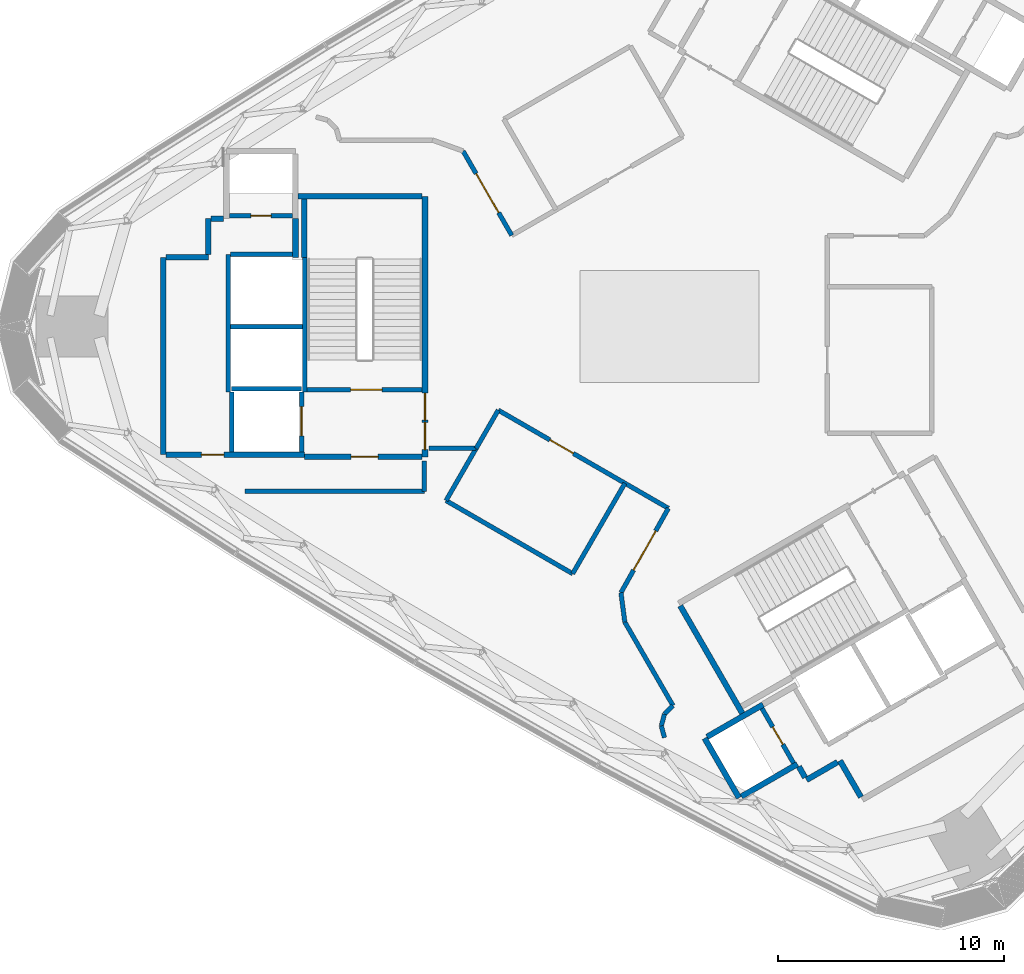
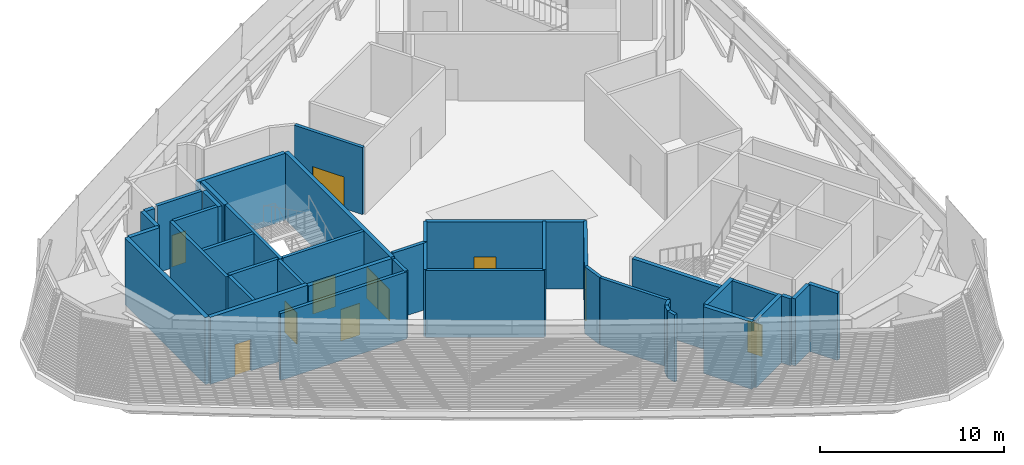
# One storey, part 11 of 18: 42 walls, 11 doors, 11 openings.
"""IFC4 building model written with IfcOpenShell, lengths in metres."""

from ifc_helpers import new_model, si_unit, direction, frame, frame_2d, origin, place, context, subcontext, project, spatial, rectangle, extrude, material, layer, layer_set, type_object, element, fill, save


model = new_model("IFC4")

# Units and contexts
model_context = context("Model", 3, precision=1e-05, world=origin(), true_north=direction((0.0, 1.0)))
body_context = subcontext(model_context, "Body", "Model", "MODEL_VIEW")
ifc_project = project(units=[si_unit("LENGTHUNIT", "METRE"), si_unit("AREAUNIT", "SQUARE_METRE"), si_unit("VOLUMEUNIT", "CUBIC_METRE"), si_unit("PLANEANGLEUNIT", "RADIAN"), si_unit("MASSUNIT", "GRAM", prefix="KILO")], contexts=[model_context])

# Site, building, storey
site_placement = place(None, origin())
site = spatial("IfcSite", under=ifc_project, at=site_placement, CompositionType="ELEMENT")
building_placement = place(site_placement, origin())
building = spatial("IfcBuilding", under=site, at=building_placement, Name="Tamra Quay Hotel Tower", CompositionType="ELEMENT")
storey_placement = place(building_placement, frame((0.0, 0.0, 211.60009765625)))
storey = spatial("IfcBuildingStorey", under=building, at=storey_placement, Name="L53", CompositionType="ELEMENT", Elevation=211.60009765625)

# Walls
ifc_material_1 = material(Name="Concrete M70", Category="concrete")
ifc_layer_1 = layer(ifc_material_1, 0.199951171875)
ifc_layer_set_1 = layer_set([ifc_layer_1], Name="Concrete M70 core wall 200")
wall_type_1 = type_object("IfcWallType", Name="Concrete M70 core wall 200", PredefinedType="SHEAR", material=ifc_layer_set_1)
wall_1_placement = place(storey_placement, frame((-16.162109375, 3.073974609375, 0.0), z_axis=(0.0, 0.0, 1.0), x_axis=(0.0, -1.0, 0.0)))
element("IfcWall", 1, at=wall_1_placement, inside=storey, type_object=wall_type_1, Name="CW2", PredefinedType="SHEAR", context=body_context, shape_type="SweptSolid", body=[
    extrude(rectangle(XDim=5.97412109375, YDim=0.199951171875, at=frame_2d((2.987060546875, 0.0))), origin(), (0.0, 0.0, 1.0), 4.449951171875),
])
wall_2_placement = place(storey_placement, frame((-19.5625, -2.900146484375, 0.0), z_axis=(0.0, 0.0, 1.0), x_axis=(0.0, 1.0, 0.0)))
element("IfcWall", 2, at=wall_2_placement, inside=storey, type_object=wall_type_1, Name="CW2", PredefinedType="SHEAR", context=body_context, shape_type="SweptSolid", body=[
    extrude(rectangle(XDim=6.100341796875, YDim=0.199951171875, at=frame_2d((3.05029296875, 0.0))), origin(), (0.0, 0.0, 1.0), 4.449951171875),
])

# Wall, opening, door
wall_3_placement = place(storey_placement, frame((-10.96337890625, -2.800048828125, 0.0), z_axis=(0.0, 0.0, 1.0), x_axis=(-1.0, 0.0, 0.0)))
wall_3 = element("IfcWall", 3, at=wall_3_placement, inside=storey, type_object=wall_type_1, Name="CW2", PredefinedType="SHEAR", context=body_context, shape_type="SweptSolid", body=[
    extrude(rectangle(XDim=5.097900390625, YDim=0.199951171875, at=frame_2d((2.548828125, 0.0))), origin(), (0.0, 0.0, 1.0), 4.449951171875),
])
opening_1_placement = place(wall_3_placement, frame((1.77392578125, 0.0, 0.0)))
opening_1 = element("IfcOpeningElement", 4, at=opening_1_placement, cuts=wall_3, Name="Opening FD2", PredefinedType="OPENING", context=body_context, shape_type="SweptSolid", body=[
    extrude(rectangle(XDim=1.39990234375, YDim=2.10009765625, at=frame_2d((0.699951171875, 1.050048828125))), frame((0.0, 0.10986328125, 0.0), z_axis=(0.0, -1.0, 0.0), x_axis=(1.0, 0.0, 0.0)), (0.0, 0.0, 1.0), 0.219970703125),
])
ifc_material_2 = material(Name="Core door FD2 1400x2100 LH")
door_type_1 = type_object("IfcDoorType", Name="Core door FD2 1400x2100 LH", OperationType="NOTDEFINED", PredefinedType="DOOR", material=ifc_material_2)
door_1_placement = place(opening_1_placement, origin())
door_1 = element("IfcDoor", 5, at=door_1_placement, inside=storey, type_object=door_type_1, Name="FD2", OperationType="SINGLE_SWING_LEFT", OverallHeight=2.10009765625, OverallWidth=1.39990234375, PredefinedType="DOOR", context=body_context, shape_type="SweptSolid", body=[
    extrude(rectangle(XDim=1.39990234375, YDim=2.10009765625, at=frame_2d((0.699951171875, 1.050048828125))), frame((0.0, 0.02490234375, 0.0), z_axis=(0.0, -1.0, 0.0), x_axis=(1.0, 0.0, 0.0)), (0.0, 0.0, 1.0), 0.050048828125),
])
fill(opening_1, door_1)

# Wall
wall_4_placement = place(storey_placement, frame((-16.26318359375, 0.0, 0.0), z_axis=(0.0, 0.0, 1.0), x_axis=(-1.0, 0.0, 0.0)))
element("IfcWall", 6, at=wall_4_placement, inside=storey, type_object=wall_type_1, Name="CW2", PredefinedType="SHEAR", context=body_context, shape_type="SweptSolid", body=[
    extrude(rectangle(XDim=3.1982421875, YDim=0.199951171875, at=frame_2d((1.59912109375, 0.0))), origin(), (0.0, 0.0, 1.0), 4.449951171875),
])

# Wall, opening, door
wall_5_placement = place(storey_placement, frame((-19.51123046875, 4.91015625, 0.0), z_axis=(0.0, 0.0, 1.0), x_axis=(1.0, 0.0, 0.0)))
wall_5 = element("IfcWall", 7, at=wall_5_placement, inside=storey, type_object=wall_type_1, Name="CW2", PredefinedType="SHEAR", context=body_context, shape_type="SweptSolid", body=[
    extrude(rectangle(XDim=2.7978515625, YDim=0.199951171875, at=frame_2d((1.39892578125, 0.0))), origin(), (0.0, 0.0, 1.0), 4.449951171875),
])
opening_2_placement = place(wall_5_placement, frame((0.948974609375, 0.0, 0.0)))
opening_2 = element("IfcOpeningElement", 8, at=opening_2_placement, cuts=wall_5, Name="Opening D1", PredefinedType="OPENING", context=body_context, shape_type="SweptSolid", body=[
    extrude(rectangle(XDim=0.89990234375, YDim=2.10009765625, at=frame_2d((0.449951171875, 1.050048828125))), frame((0.0, 0.10986328125, 0.0), z_axis=(0.0, -1.0, 0.0), x_axis=(1.0, 0.0, 0.0)), (0.0, 0.0, 1.0), 0.219970703125),
])
ifc_material_3 = material(Name="Core door D1 900x2100 RH")
door_type_2 = type_object("IfcDoorType", Name="Core door D1 900x2100 RH", OperationType="NOTDEFINED", PredefinedType="DOOR", material=ifc_material_3)
door_2_placement = place(opening_2_placement, origin())
door_2 = element("IfcDoor", 9, at=door_2_placement, inside=storey, type_object=door_type_2, Name="D1", OperationType="SINGLE_SWING_RIGHT", OverallHeight=2.10009765625, OverallWidth=0.89990234375, PredefinedType="DOOR", context=body_context, shape_type="SweptSolid", body=[
    extrude(rectangle(XDim=0.89990234375, YDim=2.10009765625, at=frame_2d((0.449951171875, 1.050048828125))), frame((0.0, 0.02490234375, 0.0), z_axis=(0.0, -1.0, 0.0), x_axis=(1.0, 0.0, 0.0)), (0.0, 0.0, 1.0), 0.050048828125),
])
fill(opening_2, door_2)

# Walls
wall_6_placement = place(storey_placement, frame((-19.46240234375, 3.2001953125, 0.0), z_axis=(0.0, 0.0, 1.0), x_axis=(1.0, 0.0, 0.0)))
element("IfcWall", 10, at=wall_6_placement, inside=storey, type_object=wall_type_1, Name="CW2", PredefinedType="SHEAR", context=body_context, shape_type="SweptSolid", body=[
    extrude(rectangle(XDim=2.759033203125, YDim=0.199951171875, at=frame_2d((1.37939453125, 0.0))), origin(), (0.0, 0.0, 1.0), 4.449951171875),
])
wall_7_placement = place(storey_placement, frame((-19.412353515625, -2.75, 0.0), z_axis=(0.0, 0.0, 1.0), x_axis=(1.0, 0.0, 0.0)))
element("IfcWall", 11, at=wall_7_placement, inside=storey, type_object=wall_type_1, Name="CW2", PredefinedType="SHEAR", context=body_context, shape_type="SweptSolid", body=[
    extrude(rectangle(XDim=3.10009765625, YDim=0.199951171875, at=frame_2d((1.550048828125, 0.0))), origin(), (0.0, 0.0, 1.0), 4.449951171875),
])

# Wall, opening, door
wall_8_placement = place(storey_placement, frame((-16.312255859375, -2.898193359375, 0.0), z_axis=(0.0, 0.0, 1.0), x_axis=(0.0, -1.0, 0.0)))
wall_8 = element("IfcWall", 12, at=wall_8_placement, inside=storey, type_object=wall_type_1, Name="CW2", PredefinedType="SHEAR", context=body_context, shape_type="SweptSolid", body=[
    extrude(rectangle(XDim=2.65087890625, YDim=0.199951171875, at=frame_2d((1.325439453125, 0.0))), origin(), (0.0, 0.0, 1.0), 4.449951171875),
])
opening_3_placement = place(wall_8_placement, frame((0.65185546875, 0.0, 0.0)))
opening_3 = element("IfcOpeningElement", 13, at=opening_3_placement, cuts=wall_8, Name="Opening LD", PredefinedType="OPENING", context=body_context, shape_type="SweptSolid", body=[
    extrude(rectangle(XDim=1.300048828125, YDim=2.10009765625, at=frame_2d((0.64990234375, 1.050048828125))), frame((0.0, 0.10986328125, 0.0), z_axis=(0.0, -1.0, 0.0), x_axis=(1.0, 0.0, 0.0)), (0.0, 0.0, 1.0), 0.219970703125),
])
ifc_material_4 = material(Name="Landing door LD 1300 sliding to left")
door_type_3 = type_object("IfcDoorType", Name="Landing door LD 1300 sliding to left", OperationType="NOTDEFINED", PredefinedType="DOOR", material=ifc_material_4)
door_3_placement = place(opening_3_placement, origin())
door_3 = element("IfcDoor", 14, at=door_3_placement, inside=storey, type_object=door_type_3, Name="LD", OperationType="SLIDING_TO_LEFT", OverallHeight=2.10009765625, OverallWidth=1.300048828125, PredefinedType="DOOR", context=body_context, shape_type="SweptSolid", body=[
    extrude(rectangle(XDim=1.300048828125, YDim=2.10009765625, at=frame_2d((0.64990234375, 1.050048828125))), frame((0.0, 0.02490234375, 0.0), z_axis=(0.0, -1.0, 0.0), x_axis=(1.0, 0.0, 0.0)), (0.0, 0.0, 1.0), 0.050048828125),
])
fill(opening_3, door_3)

# Wall
wall_9_placement = place(storey_placement, frame((-19.412353515625, -5.549072265625, 0.0), z_axis=(0.0, 0.0, 1.0), x_axis=(0.0, 1.0, 0.0)))
element("IfcWall", 15, at=wall_9_placement, inside=storey, type_object=wall_type_1, Name="CW2", PredefinedType="SHEAR", context=body_context, shape_type="SweptSolid", body=[
    extrude(rectangle(XDim=2.65087890625, YDim=0.199951171875, at=frame_2d((1.325439453125, 0.0))), origin(), (0.0, 0.0, 1.0), 4.449951171875),
])

# Wall, opening, door
wall_10_placement = place(storey_placement, frame((5.50341796875, -19.352294921875, 0.0), z_axis=(0.0, 0.0, 1.0), x_axis=(-0.499986818241, 0.866033014143, 0.0)))
wall_10 = element("IfcWall", 16, at=wall_10_placement, inside=storey, type_object=wall_type_1, Name="CW2", PredefinedType="SHEAR", context=body_context, shape_type="SweptSolid", body=[
    extrude(rectangle(XDim=2.7978515625, YDim=0.199951171875, at=frame_2d((1.39892578125, 0.0))), origin(), (0.0, 0.0, 1.0), 4.449951171875),
])
opening_4_placement = place(wall_10_placement, frame((0.948974609375, 0.0, 0.0)))
opening_4 = element("IfcOpeningElement", 17, at=opening_4_placement, cuts=wall_10, Name="Opening D1", PredefinedType="OPENING", context=body_context, shape_type="SweptSolid", body=[
    extrude(rectangle(XDim=0.89990234375, YDim=2.10009765625, at=frame_2d((0.449951171875, 1.050048828125))), frame((0.0, 0.10986328125, 0.0), z_axis=(0.0, -1.0, 0.0), x_axis=(1.0, 0.0, 0.0)), (0.0, 0.0, 1.0), 0.219970703125),
])
ifc_material_5 = material(Name="Core door D1 900x2100 LH")
door_type_4 = type_object("IfcDoorType", Name="Core door D1 900x2100 LH", OperationType="NOTDEFINED", PredefinedType="DOOR", material=ifc_material_5)
door_4_placement = place(opening_4_placement, origin())
door_4 = element("IfcDoor", 18, at=door_4_placement, inside=storey, type_object=door_type_4, Name="D1", OperationType="SINGLE_SWING_LEFT", OverallHeight=2.10009765625, OverallWidth=0.89990234375, PredefinedType="DOOR", context=body_context, shape_type="SweptSolid", body=[
    extrude(rectangle(XDim=0.89990234375, YDim=2.10009765625, at=frame_2d((0.449951171875, 1.050048828125))), frame((0.0, 0.02490234375, 0.0), z_axis=(0.0, -1.0, 0.0), x_axis=(1.0, 0.0, 0.0)), (0.0, 0.0, 1.0), 0.050048828125),
])
fill(opening_4, door_4)

# Wall, openings, doors
ifc_layer_2 = layer(ifc_material_1, 0.25)
ifc_layer_set_2 = layer_set([ifc_layer_2], Name="Concrete M70 core wall 250")
wall_type_2 = type_object("IfcWallType", Name="Concrete M70 core wall 250", PredefinedType="SHEAR", material=ifc_layer_set_2)
wall_11_placement = place(storey_placement, frame((-10.83740234375, 5.77490234375, 0.0), z_axis=(0.0, 0.0, 1.0), x_axis=(0.0, -1.0, 0.0)))
wall_11 = element("IfcWall", 19, at=wall_11_placement, inside=storey, type_object=wall_type_2, Name="CW1", PredefinedType="SHEAR", context=body_context, shape_type="SweptSolid", body=[
    extrude(rectangle(XDim=11.5498046875, YDim=0.25, at=frame_2d((5.77490234375, 0.0))), origin(), (0.0, 0.0, 1.0), 4.449951171875),
])
opening_5_placement = place(wall_11_placement, frame((10.02490234375, 0.0, 0.0)))
opening_5 = element("IfcOpeningElement", 20, at=opening_5_placement, cuts=wall_11, Name="Opening FD1", PredefinedType="OPENING", context=body_context, shape_type="SweptSolid", body=[
    extrude(rectangle(XDim=1.199951171875, YDim=2.10009765625, at=frame_2d((0.60009765625, 1.050048828125))), frame((0.0, 0.135009765625, 0.0), z_axis=(0.0, -1.0, 0.0), x_axis=(1.0, 0.0, 0.0)), (0.0, 0.0, 1.0), 0.27001953125),
])
opening_6_placement = place(wall_11_placement, frame((8.72509765625, 0.0, 0.0)))
opening_6 = element("IfcOpeningElement", 21, at=opening_6_placement, cuts=wall_11, Name="Opening FD1", PredefinedType="OPENING", context=body_context, shape_type="SweptSolid", body=[
    extrude(rectangle(XDim=1.199951171875, YDim=2.10009765625, at=frame_2d((0.60009765625, 1.050048828125))), frame((0.0, 0.135009765625, 0.0), z_axis=(0.0, -1.0, 0.0), x_axis=(1.0, 0.0, 0.0)), (0.0, 0.0, 1.0), 0.27001953125),
])
ifc_material_6 = material(Name="Core door FD1 1200x2100 LH")
door_type_5 = type_object("IfcDoorType", Name="Core door FD1 1200x2100 LH", OperationType="NOTDEFINED", PredefinedType="DOOR", material=ifc_material_6)
door_5_placement = place(opening_5_placement, origin())
door_5 = element("IfcDoor", 22, at=door_5_placement, inside=storey, type_object=door_type_5, Name="FD1", OperationType="SINGLE_SWING_LEFT", OverallHeight=2.10009765625, OverallWidth=1.199951171875, PredefinedType="DOOR", context=body_context, shape_type="SweptSolid", body=[
    extrude(rectangle(XDim=1.199951171875, YDim=2.10009765625, at=frame_2d((0.60009765625, 1.050048828125))), frame((0.0, 0.02490234375, 0.0), z_axis=(0.0, -1.0, 0.0), x_axis=(1.0, 0.0, 0.0)), (0.0, 0.0, 1.0), 0.050048828125),
])
fill(opening_5, door_5)
ifc_material_7 = material(Name="Core door FD1 1200x2100 RH")
door_type_6 = type_object("IfcDoorType", Name="Core door FD1 1200x2100 RH", OperationType="NOTDEFINED", PredefinedType="DOOR", material=ifc_material_7)
door_6_placement = place(opening_6_placement, origin())
door_6 = element("IfcDoor", 23, at=door_6_placement, inside=storey, type_object=door_type_6, Name="FD1", OperationType="SINGLE_SWING_RIGHT", OverallHeight=2.10009765625, OverallWidth=1.199951171875, PredefinedType="DOOR", context=body_context, shape_type="SweptSolid", body=[
    extrude(rectangle(XDim=1.199951171875, YDim=2.10009765625, at=frame_2d((0.60009765625, 1.050048828125))), frame((0.0, 0.02490234375, 0.0), z_axis=(0.0, -1.0, 0.0), x_axis=(1.0, 0.0, 0.0)), (0.0, 0.0, 1.0), 0.050048828125),
])
fill(opening_6, door_6)

# Wall
wall_12_placement = place(storey_placement, frame((-22.437255859375, -5.675048828125, 0.0), z_axis=(0.0, 0.0, 1.0), x_axis=(0.0, 1.0, 0.0)))
element("IfcWall", 24, at=wall_12_placement, inside=storey, type_object=wall_type_2, Name="CW1", PredefinedType="SHEAR", context=body_context, shape_type="SweptSolid", body=[
    extrude(rectangle(XDim=8.75, YDim=0.25, at=frame_2d((4.375, 0.0))), origin(), (0.0, 0.0, 1.0), 4.449951171875),
])

# Wall, opening, door
wall_13_placement = place(storey_placement, frame((-16.187255859375, -5.675048828125, 0.0), z_axis=(0.0, 0.0, 1.0), x_axis=(-1.0, 0.0, 0.0)))
wall_13 = element("IfcWall", 25, at=wall_13_placement, inside=storey, type_object=wall_type_2, Name="CW1", PredefinedType="SHEAR", context=body_context, shape_type="SweptSolid", body=[
    extrude(rectangle(XDim=6.12451171875, YDim=0.25, at=frame_2d((3.062255859375, 0.0))), origin(), (0.0, 0.0, 1.0), 4.449951171875),
])
opening_7_placement = place(wall_13_placement, frame((3.562744140625, 0.0, 0.0)))
opening_7 = element("IfcOpeningElement", 26, at=opening_7_placement, cuts=wall_13, Name="Opening FD3", PredefinedType="OPENING", context=body_context, shape_type="SweptSolid", body=[
    extrude(rectangle(XDim=1.0, YDim=2.10009765625, at=frame_2d((0.5, 1.050048828125))), frame((0.0, 0.135009765625, 0.0), z_axis=(0.0, -1.0, 0.0), x_axis=(1.0, 0.0, 0.0)), (0.0, 0.0, 1.0), 0.27001953125),
])
ifc_material_8 = material(Name="Core door FD3 1000x2100 LH")
door_type_7 = type_object("IfcDoorType", Name="Core door FD3 1000x2100 LH", OperationType="NOTDEFINED", PredefinedType="DOOR", material=ifc_material_8)
door_7_placement = place(opening_7_placement, origin())
door_7 = element("IfcDoor", 27, at=door_7_placement, inside=storey, type_object=door_type_7, Name="FD3", OperationType="SINGLE_SWING_LEFT", OverallHeight=2.10009765625, OverallWidth=1.0, PredefinedType="DOOR", context=body_context, shape_type="SweptSolid", body=[
    extrude(rectangle(XDim=1.0, YDim=2.10009765625, at=frame_2d((0.5, 1.050048828125))), frame((0.0, 0.02490234375, 0.0), z_axis=(0.0, -1.0, 0.0), x_axis=(1.0, 0.0, 0.0)), (0.0, 0.0, 1.0), 0.050048828125),
])
fill(opening_7, door_7)

wall_14_placement = place(storey_placement, frame((-10.962646484375, -5.77490234375, 0.0), z_axis=(0.0, 0.0, 1.0), x_axis=(-1.0, 0.0, 0.0)))
wall_14 = element("IfcWall", 28, at=wall_14_placement, inside=storey, type_object=wall_type_2, Name="CW1", PredefinedType="SHEAR", context=body_context, shape_type="SweptSolid", body=[
    extrude(rectangle(XDim=5.224609375, YDim=0.25, at=frame_2d((2.6123046875, 0.0))), origin(), (0.0, 0.0, 1.0), 4.449951171875),
])
opening_8_placement = place(wall_14_placement, frame((1.94970703125, 0.0, 0.0)))
opening_8 = element("IfcOpeningElement", 29, at=opening_8_placement, cuts=wall_14, Name="Opening D2", PredefinedType="OPENING", context=body_context, shape_type="SweptSolid", body=[
    extrude(rectangle(XDim=1.199951171875, YDim=2.10009765625, at=frame_2d((0.60009765625, 1.050048828125))), frame((0.0, 0.135009765625, 0.0), z_axis=(0.0, -1.0, 0.0), x_axis=(1.0, 0.0, 0.0)), (0.0, 0.0, 1.0), 0.27001953125),
])
ifc_material_9 = material(Name="Core door D2 1200x2100 RH")
door_type_8 = type_object("IfcDoorType", Name="Core door D2 1200x2100 RH", OperationType="NOTDEFINED", PredefinedType="DOOR", material=ifc_material_9)
door_8_placement = place(opening_8_placement, origin())
door_8 = element("IfcDoor", 30, at=door_8_placement, inside=storey, type_object=door_type_8, Name="D2", OperationType="SINGLE_SWING_RIGHT", OverallHeight=2.10009765625, OverallWidth=1.199951171875, PredefinedType="DOOR", context=body_context, shape_type="SweptSolid", body=[
    extrude(rectangle(XDim=1.199951171875, YDim=2.10009765625, at=frame_2d((0.60009765625, 1.050048828125))), frame((0.0, 0.02490234375, 0.0), z_axis=(0.0, -1.0, 0.0), x_axis=(1.0, 0.0, 0.0)), (0.0, 0.0, 1.0), 0.050048828125),
])
fill(opening_8, door_8)

# Walls
wall_15_placement = place(storey_placement, frame((-16.47216796875, 5.77490234375, 0.0), z_axis=(0.0, 0.0, 1.0), x_axis=(1.0, 0.0, 0.0)))
element("IfcWall", 31, at=wall_15_placement, inside=storey, type_object=wall_type_2, Name="CW1", PredefinedType="SHEAR", context=body_context, shape_type="SweptSolid", body=[
    extrude(rectangle(XDim=5.509521484375, YDim=0.25, at=frame_2d((2.7548828125, 0.0))), origin(), (0.0, 0.0, 1.0), 4.449951171875),
])
wall_16_placement = place(storey_placement, frame((-16.187255859375, 3.074951171875, 0.0), z_axis=(0.0, 0.0, 1.0), x_axis=(0.0, 1.0, 0.0)))
element("IfcWall", 32, at=wall_16_placement, inside=storey, type_object=wall_type_2, Name="CW1", PredefinedType="SHEAR", context=body_context, shape_type="SweptSolid", body=[
    extrude(rectangle(XDim=2.57470703125, YDim=0.25, at=frame_2d((1.287353515625, 0.0))), origin(), (0.0, 0.0, 1.0), 4.449951171875),
])
wall_17_placement = place(storey_placement, frame((-22.311767578125, 3.074951171875, 0.0), z_axis=(0.0, 0.0, 1.0), x_axis=(1.0, 0.0, 0.0)))
element("IfcWall", 33, at=wall_17_placement, inside=storey, type_object=wall_type_2, Name="CW1", PredefinedType="SHEAR", context=body_context, shape_type="SweptSolid", body=[
    extrude(rectangle(XDim=1.864501953125, YDim=0.25, at=frame_2d((0.93212890625, 0.0))), origin(), (0.0, 0.0, 1.0), 4.449951171875),
])
wall_18_placement = place(storey_placement, frame((-16.577392578125, 4.784912109375, 0.0), z_axis=(0.0, 0.0, 1.0), x_axis=(0.0, -1.0, 0.0)))
element("IfcWall", 34, at=wall_18_placement, inside=storey, type_object=wall_type_2, Name="CW1", PredefinedType="SHEAR", context=body_context, shape_type="SweptSolid", body=[
    extrude(rectangle(XDim=1.7099609375, YDim=0.25, at=frame_2d((0.85498046875, 0.0))), origin(), (0.0, 0.0, 1.0), 4.449951171875),
])
wall_19_placement = place(storey_placement, frame((-20.447265625, 3.200439453125, 0.0), z_axis=(0.0, 0.0, 1.0), x_axis=(0.0, 1.0, 0.0)))
element("IfcWall", 35, at=wall_19_placement, inside=storey, type_object=wall_type_2, Name="CW1", PredefinedType="SHEAR", context=body_context, shape_type="SweptSolid", body=[
    extrude(rectangle(XDim=1.58447265625, YDim=0.25, at=frame_2d((0.792236328125, 0.0))), origin(), (0.0, 0.0, 1.0), 4.449951171875),
])
wall_20_placement = place(storey_placement, frame((-20.32177734375, 4.784912109375, 0.0), z_axis=(0.0, 0.0, 1.0), x_axis=(1.0, 0.0, 0.0)))
element("IfcWall", 36, at=wall_20_placement, inside=storey, type_object=wall_type_2, Name="CW1", PredefinedType="SHEAR", context=body_context, shape_type="SweptSolid", body=[
    extrude(rectangle(XDim=0.55908203125, YDim=0.25, at=frame_2d((0.279541015625, 0.0))), origin(), (0.0, 0.0, 1.0), 4.449951171875),
])
wall_21_placement = place(storey_placement, frame((3.23486328125, -17.15283203125, 0.0), z_axis=(0.0, 0.0, 1.0), x_axis=(-0.500008851346, 0.866020293397, 0.0)))
element("IfcWall", 37, at=wall_21_placement, inside=storey, type_object=wall_type_2, Name="CW1", PredefinedType="SHEAR", context=body_context, shape_type="SweptSolid", body=[
    extrude(rectangle(XDim=5.509765625, YDim=0.25, at=frame_2d((2.7548828125, 0.0))), origin(), (0.0, 0.0, 1.0), 4.449951171875),
])
wall_22_placement = place(storey_placement, frame((3.085205078125, -20.893798828125, 0.0), z_axis=(0.0, 0.0, 1.0), x_axis=(-0.499978833458, 0.866037623948, 0.0)))
element("IfcWall", 38, at=wall_22_placement, inside=storey, type_object=wall_type_2, Name="CW1", PredefinedType="SHEAR", context=body_context, shape_type="SweptSolid", body=[
    extrude(rectangle(XDim=3.050048828125, YDim=0.25, at=frame_2d((1.52490234375, 0.0))), origin(), (0.0, 0.0, 1.0), 4.449951171875),
])
wall_23_placement = place(storey_placement, frame((1.6689453125, -18.189697265625, 0.0), z_axis=(0.0, 0.0, 1.0), x_axis=(0.866042235819, 0.499970844928, 0.0)))
element("IfcWall", 39, at=wall_23_placement, inside=storey, type_object=wall_type_2, Name="CW1", PredefinedType="SHEAR", context=body_context, shape_type="SweptSolid", body=[
    extrude(rectangle(XDim=2.864501953125, YDim=0.25, at=frame_2d((1.43212890625, 0.0))), origin(), (0.0, 0.0, 1.0), 4.449951171875),
])
wall_24_placement = place(storey_placement, frame((5.6748046875, -19.39892578125, 0.0), z_axis=(0.0, 0.0, 1.0), x_axis=(-0.866026637627, -0.499997862916, 0.0)))
element("IfcWall", 40, at=wall_24_placement, inside=storey, type_object=wall_type_2, Name="CW1", PredefinedType="SHEAR", context=body_context, shape_type="SweptSolid", body=[
    extrude(rectangle(XDim=2.86474609375, YDim=0.25, at=frame_2d((1.432373046875, 0.0))), origin(), (0.0, 0.0, 1.0), 4.449951171875),
])
wall_25_placement = place(storey_placement, frame((8.492919921875, -20.860107421875, 0.0), z_axis=(0.0, 0.0, 1.0), x_axis=(-0.500039802285, 0.866002422705, 0.0)))
element("IfcWall", 41, at=wall_25_placement, inside=storey, type_object=wall_type_2, Name="CW1", PredefinedType="SHEAR", context=body_context, shape_type="SweptSolid", body=[
    extrude(rectangle(XDim=1.864501953125, YDim=0.25, at=frame_2d((0.93212890625, 0.0))), origin(), (0.0, 0.0, 1.0), 4.449951171875),
])
wall_26_placement = place(storey_placement, frame((7.451904296875, -19.30810546875, 0.0), z_axis=(0.0, 0.0, 1.0), x_axis=(-0.866044474677, -0.49996696679, 0.0)))
element("IfcWall", 42, at=wall_26_placement, inside=storey, type_object=wall_type_2, Name="CW1", PredefinedType="SHEAR", context=body_context, shape_type="SweptSolid", body=[
    extrude(rectangle(XDim=1.58447265625, YDim=0.25, at=frame_2d((0.792236328125, 0.0))), origin(), (0.0, 0.0, 1.0), 4.449951171875),
])
wall_27_placement = place(storey_placement, frame((6.01708984375, -19.99169921875, 0.0), z_axis=(0.0, 0.0, 1.0), x_axis=(-0.500364886717, 0.865814633822, 0.0)))
element("IfcWall", 43, at=wall_27_placement, inside=storey, type_object=wall_type_2, Name="CW1", PredefinedType="SHEAR", context=body_context, shape_type="SweptSolid", body=[
    extrude(rectangle(XDim=0.55908203125, YDim=0.25, at=frame_2d((0.279541015625, 0.0))), origin(), (0.0, 0.0, 1.0), 4.449951171875),
])
ifc_material_10 = material(Name="Partition corridor wall")
ifc_layer_3 = layer(ifc_material_10, 0.199951171875)
ifc_layer_set_3 = layer_set([ifc_layer_3], Name="Partition corridor wall")
wall_type_3 = type_object("IfcWallType", Name="Partition corridor wall", PredefinedType="PARTITIONING", material=ifc_layer_set_3)
wall_28_placement = place(storey_placement, frame((-18.815185546875, -7.300048828125, 0.0), z_axis=(0.0, 0.0, 1.0), x_axis=(1.0, 0.0, 0.0)))
element("IfcWall", 44, at=wall_28_placement, inside=storey, type_object=wall_type_3, Name="W-C", PredefinedType="PARTITIONING", context=body_context, shape_type="SweptSolid", body=[
    extrude(rectangle(XDim=7.953125, YDim=0.199951171875, at=frame_2d((3.9765625, 0.0))), origin(), (0.0, 0.0, 1.0), 4.449951171875),
])
wall_29_placement = place(storey_placement, frame((-10.862060546875, -7.300048828125, 0.0), z_axis=(0.0, 0.0, 1.0), x_axis=(0.0, 1.0, 0.0)))
element("IfcWall", 45, at=wall_29_placement, inside=storey, type_object=wall_type_3, Name="W-C", PredefinedType="PARTITIONING", context=body_context, shape_type="SweptSolid", body=[
    extrude(rectangle(XDim=1.340087890625, YDim=0.199951171875, at=frame_2d((0.669921875, 0.0))), origin(), (0.0, 0.0, 1.0), 4.449951171875),
])
wall_30_placement = place(storey_placement, frame((-10.65234375, -5.39990234375, 0.0), z_axis=(0.0, 0.0, 1.0), x_axis=(1.0, 0.0, 0.0)))
element("IfcWall", 46, at=wall_30_placement, inside=storey, type_object=wall_type_3, Name="W-C", PredefinedType="PARTITIONING", context=body_context, shape_type="SweptSolid", body=[
    extrude(rectangle(XDim=2.083251953125, YDim=0.199951171875, at=frame_2d((1.04150390625, 0.0))), origin(), (0.0, 0.0, 1.0), 4.449951171875),
])

# Wall, opening, door
wall_31_placement = place(storey_placement, frame((-9.15087890625, 7.785888671875, 0.0), z_axis=(0.0, 0.0, 1.0), x_axis=(0.499939416935, -0.866060378608, 0.0)))
wall_31 = element("IfcWall", 47, at=wall_31_placement, inside=storey, type_object=wall_type_3, Name="W-C", PredefinedType="PARTITIONING", context=body_context, shape_type="SweptSolid", body=[
    extrude(rectangle(XDim=4.318359375, YDim=0.199951171875, at=frame_2d((2.1591796875, 0.0))), origin(), (0.0, 0.0, 1.0), 4.449951171875),
])
opening_9_placement = place(wall_31_placement, frame((1.157470703125, 0.0, 0.0)))
opening_9 = element("IfcOpeningElement", 48, at=opening_9_placement, cuts=wall_31, Name="Opening L53-D001", PredefinedType="OPENING", context=body_context, shape_type="SweptSolid", body=[
    extrude(rectangle(XDim=2.0, YDim=2.10009765625, at=frame_2d((1.0, 1.050048828125))), frame((0.0, 0.10986328125, 0.0), z_axis=(0.0, -1.0, 0.0), x_axis=(1.0, 0.0, 0.0)), (0.0, 0.0, 1.0), 0.219970703125),
])
ifc_material_11 = material(Name="Door double leaf 2000x2100")
door_type_9 = type_object("IfcDoorType", Name="Door double leaf 2000x2100", OperationType="DOUBLE_DOOR_SINGLE_SWING", PredefinedType="DOOR", material=ifc_material_11)
door_9_placement = place(opening_9_placement, origin())
door_9 = element("IfcDoor", 49, at=door_9_placement, inside=storey, type_object=door_type_9, Name="L53-D001", OperationType="DOUBLE_DOOR_SINGLE_SWING", OverallHeight=2.10009765625, OverallWidth=2.0, PredefinedType="DOOR", context=body_context, shape_type="SweptSolid", body=[
    extrude(rectangle(XDim=2.0, YDim=2.10009765625, at=frame_2d((1.0, 1.050048828125))), frame((0.0, 0.02490234375, 0.0), z_axis=(0.0, -1.0, 0.0), x_axis=(1.0, 0.0, 0.0)), (0.0, 0.0, 1.0), 0.050048828125),
])
fill(opening_9, door_9)

# Wall
wall_32_placement = place(storey_placement, frame((-8.569091796875, -5.39990234375, 0.0), z_axis=(0.0, 0.0, 1.0), x_axis=(0.499862594797, 0.866104720183, 0.0)))
element("IfcWall", 50, at=wall_32_placement, inside=storey, type_object=wall_type_3, Name="W-C", PredefinedType="PARTITIONING", context=body_context, shape_type="SweptSolid", body=[
    extrude(rectangle(XDim=1.96044921875, YDim=0.199951171875, at=frame_2d((0.980224609375, 0.0))), origin(), (0.0, 0.0, 1.0), 4.449951171875),
])

# Wall, opening, door
wall_33_placement = place(storey_placement, frame((-7.590087890625, -3.703857421875, 0.0), z_axis=(0.0, 0.0, 1.0), x_axis=(0.866168783239, -0.499751577228, 0.0)))
wall_33 = element("IfcWall", 51, at=wall_33_placement, inside=storey, type_object=wall_type_3, Name="W-C", PredefinedType="PARTITIONING", context=body_context, shape_type="SweptSolid", body=[
    extrude(rectangle(XDim=8.70849609375, YDim=0.199951171875, at=frame_2d((4.354248046875, 0.0))), origin(), (0.0, 0.0, 1.0), 4.449951171875),
])
opening_10_placement = place(wall_33_placement, frame((2.641357421875, 0.0, 0.0)))
opening_10 = element("IfcOpeningElement", 52, at=opening_10_placement, cuts=wall_33, Name="Opening L53-D006", PredefinedType="OPENING", context=body_context, shape_type="SweptSolid", body=[
    extrude(rectangle(XDim=1.199951171875, YDim=2.10009765625, at=frame_2d((0.60009765625, 1.050048828125))), frame((0.0, 0.10986328125, 0.0), z_axis=(0.0, -1.0, 0.0), x_axis=(1.0, 0.0, 0.0)), (0.0, 0.0, 1.0), 0.219970703125),
])
ifc_material_12 = material(Name="Door fire rated 1200x2100")
door_type_10 = type_object("IfcDoorType", Name="Door fire rated 1200x2100", OperationType="NOTDEFINED", PredefinedType="DOOR", material=ifc_material_12)
door_10_placement = place(opening_10_placement, frame((1.199951171875, 0.0, 0.0), z_axis=(0.0, 0.0, 1.0), x_axis=(-1.0, 0.0, 0.0)))
door_10 = element("IfcDoor", 53, at=door_10_placement, inside=storey, type_object=door_type_10, Name="L53-D006", OperationType="SINGLE_SWING_LEFT", OverallHeight=2.10009765625, OverallWidth=1.199951171875, PredefinedType="DOOR", context=body_context, shape_type="SweptSolid", body=[
    extrude(rectangle(XDim=1.199951171875, YDim=2.10009765625, at=frame_2d((0.60009765625, 1.050048828125))), frame((0.0, 0.02490234375, 0.0), z_axis=(0.0, -1.0, 0.0), x_axis=(1.0, 0.0, 0.0)), (0.0, 0.0, 1.0), 0.050048828125),
])
fill(opening_10, door_10)

# Wall
wall_34_placement = place(storey_placement, frame((-2.14990234375, -11.797119140625, 0.0), z_axis=(0.0, 0.0, 1.0), x_axis=(0.130488075283, -0.991449878818, 0.0)))
element("IfcWall", 54, at=wall_34_placement, inside=storey, type_object=wall_type_3, Name="W-C", PredefinedType="PARTITIONING", context=body_context, shape_type="SweptSolid", body=[
    extrude(rectangle(XDim=1.317138671875, YDim=0.199951171875, at=frame_2d((0.65869140625, 0.0))), origin(), (0.0, 0.0, 1.0), 4.449951171875),
])

# Wall, opening, door
wall_35_placement = place(storey_placement, frame((-2.14990234375, -11.797119140625, 0.0), z_axis=(0.0, 0.0, 1.0), x_axis=(0.489969517534, 0.871739566549, 0.0)))
wall_35 = element("IfcWall", 55, at=wall_35_placement, inside=storey, type_object=wall_type_3, Name="W-C", PredefinedType="PARTITIONING", context=body_context, shape_type="SweptSolid", body=[
    extrude(rectangle(XDim=4.291748046875, YDim=0.199951171875, at=frame_2d((2.14599609375, 0.0))), origin(), (0.0, 0.0, 1.0), 4.449951171875),
])
opening_11_placement = place(wall_35_placement, frame((1.1435546875, 0.0, 0.0)))
opening_11 = element("IfcOpeningElement", 56, at=opening_11_placement, cuts=wall_35, Name="Opening L53-D003", PredefinedType="OPENING", context=body_context, shape_type="SweptSolid", body=[
    extrude(rectangle(XDim=2.0, YDim=2.10009765625, at=frame_2d((1.0, 1.050048828125))), frame((0.0, 0.10986328125, 0.0), z_axis=(0.0, -1.0, 0.0), x_axis=(1.0, 0.0, 0.0)), (0.0, 0.0, 1.0), 0.219970703125),
])
door_11_placement = place(opening_11_placement, origin())
door_11 = element("IfcDoor", 57, at=door_11_placement, inside=storey, type_object=door_type_9, Name="L53-D003", OperationType="DOUBLE_DOOR_SINGLE_SWING", OverallHeight=2.10009765625, OverallWidth=2.0, PredefinedType="DOOR", context=body_context, shape_type="SweptSolid", body=[
    extrude(rectangle(XDim=2.0, YDim=2.10009765625, at=frame_2d((1.0, 1.050048828125))), frame((0.0, 0.02490234375, 0.0), z_axis=(0.0, -1.0, 0.0), x_axis=(1.0, 0.0, 0.0)), (0.0, 0.0, 1.0), 0.050048828125),
])
fill(opening_11, door_11)

# Walls
wall_36_placement = place(storey_placement, frame((-1.97802734375, -13.10302734375, 0.0), z_axis=(0.0, 0.0, 1.0), x_axis=(0.49994164861, -0.866059090354, 0.0)))
element("IfcWall", 58, at=wall_36_placement, inside=storey, type_object=wall_type_3, Name="W-C", PredefinedType="PARTITIONING", context=body_context, shape_type="SweptSolid", body=[
    extrude(rectangle(XDim=4.2744140625, YDim=0.199951171875, at=frame_2d((2.13720703125, 0.0))), origin(), (0.0, 0.0, 1.0), 4.449951171875),
])
wall_37_placement = place(storey_placement, frame((-0.360107421875, -17.7041015625, 0.0), z_axis=(0.0, 0.0, 1.0), x_axis=(0.259076858299, -0.965856708572, 0.0)))
element("IfcWall", 59, at=wall_37_placement, inside=storey, type_object=wall_type_3, Name="W-C", PredefinedType="PARTITIONING", context=body_context, shape_type="SweptSolid", body=[
    extrude(rectangle(XDim=0.537109375, YDim=0.199951171875, at=frame_2d((0.2685546875, 0.0))), origin(), (0.0, 0.0, 1.0), 4.449951171875),
])
for number, where, z_axis, x_axis, name in (
    (60, (-0.360107421875, -17.7041015625, 0.0), (0.0, 0.0, 1.0), (0.258963171163, 0.965887196303, 0.0), "W-C"),
    (61, (-0.220947265625, -17.18505859375, 0.0), (0.0, 0.0, 1.0), (0.706879598303, 0.707333891104, 0.0), "W-C"),
):
    element("IfcWall", number, at=place(storey_placement, frame(where, z_axis=z_axis, x_axis=x_axis)), inside=storey, type_object=wall_type_3, Name=name, PredefinedType="PARTITIONING", context=body_context, shape_type="SweptSolid", body=[
        extrude(rectangle(XDim=0.537353515625, YDim=0.199951171875, at=frame_2d((0.2685546875, 0.0))), origin(), (0.0, 0.0, 1.0), 4.449951171875),
    ])
ifc_material_13 = material(Name="Partition party wall")
ifc_layer_4 = layer(ifc_material_13, 0.199951171875)
ifc_layer_set_4 = layer_set([ifc_layer_4], Name="Partition party wall")
wall_type_4 = type_object("IfcWallType", Name="Partition party wall", PredefinedType="PARTITIONING", material=ifc_layer_set_4)
wall_38_placement = place(storey_placement, frame((-9.905029296875, -7.714111328125, 0.0), z_axis=(0.0, 0.0, 1.0), x_axis=(0.499368495827, 0.866389696023, 0.0)))
element("IfcWall", 62, at=wall_38_placement, inside=storey, type_object=wall_type_4, Name="W-P", PredefinedType="PARTITIONING", context=body_context, shape_type="SweptSolid", body=[
    extrude(rectangle(XDim=2.66748046875, YDim=0.199951171875, at=frame_2d((1.333740234375, 0.0))), origin(), (0.0, 0.0, 1.0), 4.449951171875),
])
wall_39_placement = place(storey_placement, frame((-9.905029296875, -7.714111328125, 0.0), z_axis=(0.0, 0.0, 1.0), x_axis=(0.866044474677, -0.49996696679, 0.0)))
element("IfcWall", 63, at=wall_39_placement, inside=storey, type_object=wall_type_4, Name="W-P", PredefinedType="PARTITIONING", context=body_context, shape_type="SweptSolid", body=[
    extrude(rectangle(XDim=6.482421875, YDim=0.199951171875, at=frame_2d((3.2412109375, 0.0))), origin(), (0.0, 0.0, 1.0), 4.449951171875),
])
wall_40_placement = place(storey_placement, frame((-4.291015625, -10.955078125, 0.0), z_axis=(0.0, 0.0, 1.0), x_axis=(0.500460335608, 0.86575946572, 0.0)))
element("IfcWall", 64, at=wall_40_placement, inside=storey, type_object=wall_type_4, Name="W-P", PredefinedType="PARTITIONING", context=body_context, shape_type="SweptSolid", body=[
    extrude(rectangle(XDim=4.629638671875, YDim=0.199951171875, at=frame_2d((2.31494140625, 0.0))), origin(), (0.0, 0.0, 1.0), 4.449951171875),
])

save(model, "model.ifc")
